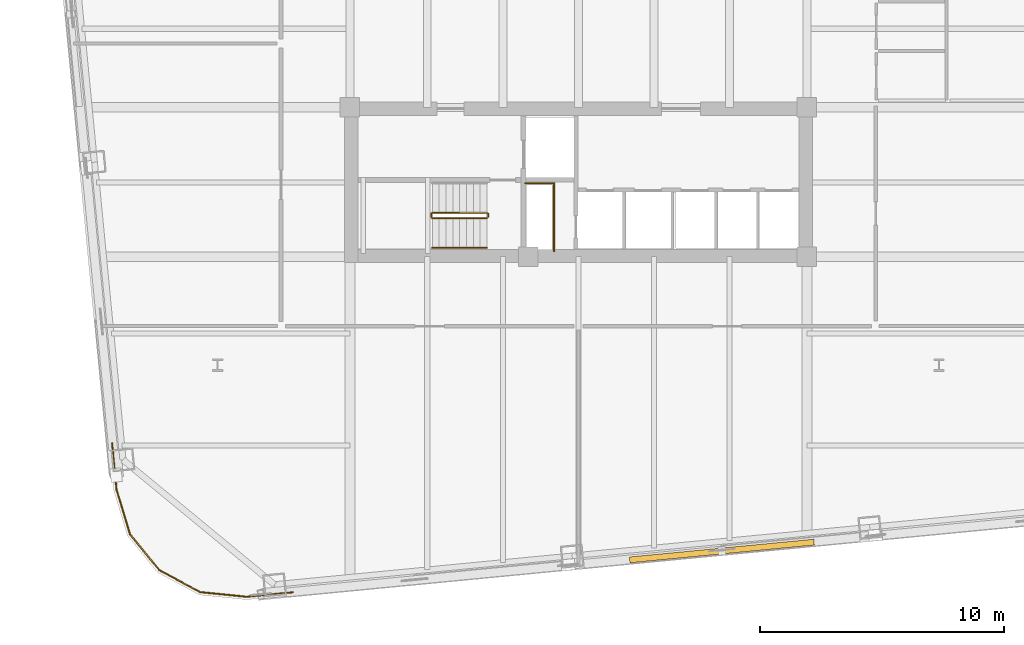
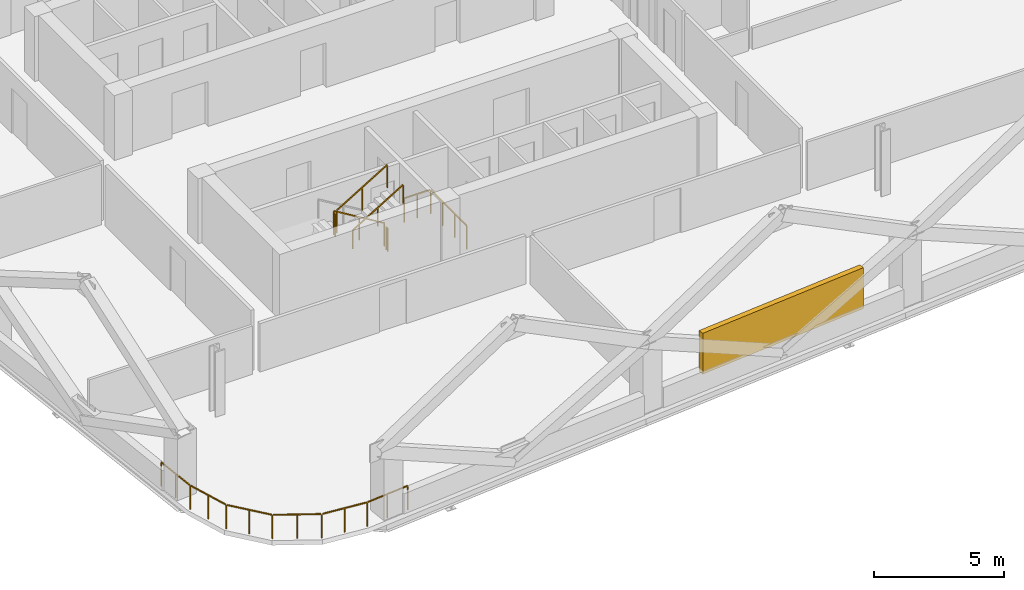
# One storey, part 6 of 8: 7 railings, 1 shading device.
"""IFC4 building model written with IfcOpenShell, lengths in metres."""

from ifc_helpers import new_model, si_unit, direction, frame, origin, origin_2d, place, context, subcontext, project, spatial, rectangle, extrude, material, type_object, element, save


model = new_model("IFC4")

# Units and contexts
model_context = context("Model", 3, precision=1e-05, world=origin(), true_north=direction((0.0, 1.0)))
body_context = subcontext(model_context, "Body", "Model", "MODEL_VIEW")
ifc_project = project(units=[si_unit("LENGTHUNIT", "METRE"), si_unit("AREAUNIT", "SQUARE_METRE"), si_unit("VOLUMEUNIT", "CUBIC_METRE"), si_unit("PLANEANGLEUNIT", "RADIAN"), si_unit("MASSUNIT", "GRAM", prefix="KILO")], contexts=[model_context])

# Site, building, storey
site_placement = place(None, origin())
site = spatial("IfcSite", under=ifc_project, at=site_placement, CompositionType="ELEMENT")
building_placement = place(site_placement, origin())
building = spatial("IfcBuilding", under=site, at=building_placement, Name="Qhalaya Broadcast Tower", CompositionType="ELEMENT")
storey_placement = place(building_placement, frame((0.0, 0.0, 93.85009765625)))
storey = spatial("IfcBuildingStorey", under=building, at=storey_placement, Name="L27", CompositionType="ELEMENT", Elevation=93.85009765625)

# Railings
ifc_material_1 = material(Name="Powder-Coated Galvanised Steel", Category="steel")
railing_type_1 = type_object("IfcRailingType", Name="Stair Wall Handrail 900", PredefinedType="HANDRAIL", material=ifc_material_1)
railing_1_placement = place(storey_placement, frame((-5.989990234375, -8.389892578125, 1.6943359375)))
element("IfcRailing", 1, at=railing_1_placement, inside=storey, type_object=railing_type_1, Name="L27 ST-2 Stair Handrail 2", PredefinedType="HANDRAIL", context=body_context, shape_type="SweptSolid", body=[
    extrude(rectangle(XDim=0.048095703125, YDim=0.048095703125, at=origin_2d()), frame((0.0, 0.0, 0.8759765625), z_axis=(0.855553338991, 0.0, 0.51771467445), x_axis=(0.0, 1.0, 0.0)), (0.0, 0.0, 1.0), 2.6181640625),
    extrude(rectangle(XDim=0.0419921875, YDim=0.0419921875, at=origin_2d()), origin(), (0.0, 0.0, 1.0), 0.849853515625),
    extrude(rectangle(XDim=0.0419921875, YDim=0.0419921875, at=origin_2d()), frame((1.1201171875, 0.0, 0.677734375)), (0.0, 0.0, 1.0), 0.849853515625),
    extrude(rectangle(XDim=0.0419921875, YDim=0.0419921875, at=origin_2d()), frame((2.239990234375, 0.0, 1.35546875)), (0.0, 0.0, 1.0), 0.849853515625),
])
railing_type_2 = type_object("IfcRailingType", Name="Stair Well & Landing Guardrail 1100", PredefinedType="GUARDRAIL", material=ifc_material_1)
railing_2_placement = place(storey_placement, frame((-1.0, -8.52001953125, 0.0)))
element("IfcRailing", 2, at=railing_2_placement, inside=storey, type_object=railing_type_2, Name="L27 Service Riser Opening Safety Guard SRSR", PredefinedType="GUARDRAIL", context=body_context, shape_type="SweptSolid", body=[
    extrude(rectangle(XDim=0.048095703125, YDim=0.048095703125, at=origin_2d()), frame((0.0, 0.0, 1.1259765625), z_axis=(0.0, 1.0, 0.0), x_axis=(-1.0, 0.0, 0.0)), (0.0, 0.0, 1.0), 2.751220703125),
    extrude(rectangle(XDim=0.048095703125, YDim=0.048095703125, at=origin_2d()), frame((-0.02880859375, 2.780029296875, 1.1259765625), z_axis=(-1.0, 0.0, 0.0), x_axis=(0.0, -1.0, 0.0)), (0.0, 0.0, 1.0), 1.151123046875),
    extrude(rectangle(XDim=0.0419921875, YDim=0.0419921875, at=origin_2d()), origin(), (0.0, 0.0, 1.0), 1.099853515625),
    extrude(rectangle(XDim=0.0419921875, YDim=0.0419921875, at=origin_2d()), frame((0.0, 0.9267578125, 0.0)), (0.0, 0.0, 1.0), 1.099853515625),
    extrude(rectangle(XDim=0.0419921875, YDim=0.0419921875, at=origin_2d()), frame((0.0, 1.853271484375, 0.0)), (0.0, 0.0, 1.0), 1.099853515625),
    extrude(rectangle(XDim=0.0419921875, YDim=0.0419921875, at=origin_2d()), frame((0.0, 2.780029296875, 0.0)), (0.0, 0.0, 1.0), 1.099853515625),
    extrude(rectangle(XDim=0.0419921875, YDim=0.0419921875, at=origin_2d()), frame((-0.58984375, 2.780029296875, 0.0)), (0.0, 0.0, 1.0), 1.099853515625),
    extrude(rectangle(XDim=0.0419921875, YDim=0.0419921875, at=origin_2d()), frame((-1.179931640625, 2.780029296875, 0.0)), (0.0, 0.0, 1.0), 1.099853515625),
])
railing_3_placement = place(storey_placement, frame((-3.75, -6.949951171875, 0.16943359375)))
element("IfcRailing", 3, at=railing_3_placement, inside=storey, type_object=railing_type_2, Name="L27 ST-2 Stair Guard 1", PredefinedType="GUARDRAIL", context=body_context, shape_type="SweptSolid", body=[
    extrude(rectangle(XDim=0.048095703125, YDim=0.048095703125, at=origin_2d()), frame((0.0, 0.0, 1.076171875), z_axis=(-0.855553338991, 0.0, 0.51771467445), x_axis=(0.0, -1.0, 0.0)), (0.0, 0.0, 1.0), 2.6181640625),
    extrude(rectangle(XDim=0.0419921875, YDim=0.0419921875, at=origin_2d()), origin(), (0.0, 0.0, 1.0), 1.050048828125),
    extrude(rectangle(XDim=0.0419921875, YDim=0.0419921875, at=origin_2d()), frame((-1.1201171875, 0.0, 0.677734375)), (0.0, 0.0, 1.0), 1.050048828125),
    extrude(rectangle(XDim=0.0419921875, YDim=0.0419921875, at=origin_2d()), frame((-2.239990234375, 0.0, 1.35546875)), (0.0, 0.0, 1.0), 1.050048828125),
])
railing_4_placement = place(storey_placement, frame((-6.0400390625, -7.0, 1.52490234375)))
element("IfcRailing", 4, at=railing_4_placement, inside=storey, type_object=railing_type_2, Name="L27 ST-2 Stair Guard 2", PredefinedType="GUARDRAIL", context=body_context, shape_type="SweptSolid", body=[
    extrude(rectangle(XDim=0.048095703125, YDim=0.048095703125, at=origin_2d()), frame((0.0, 0.0, 1.076171875), z_axis=(0.0, -1.0, 0.0), x_axis=(1.0, 0.0, 0.0)), (0.0, 0.0, 1.0), 0.1201171875),
    extrude(rectangle(XDim=0.0419921875, YDim=0.0419921875, at=origin_2d()), origin(), (0.0, 0.0, 1.0), 1.050048828125),
    extrude(rectangle(XDim=0.0419921875, YDim=0.0419921875, at=origin_2d()), frame((0.0, -0.1201171875, 0.0)), (0.0, 0.0, 1.0), 1.050048828125),
])
railing_5_placement = place(storey_placement, frame((-5.989990234375, -7.169921875, 1.6943359375)))
element("IfcRailing", 5, at=railing_5_placement, inside=storey, type_object=railing_type_2, Name="L27 ST-2 Stair Guard 3", PredefinedType="GUARDRAIL", context=body_context, shape_type="SweptSolid", body=[
    extrude(rectangle(XDim=0.048095703125, YDim=0.048095703125, at=origin_2d()), frame((0.0, 0.0, 1.076171875), z_axis=(0.855553338991, 0.0, 0.51771467445), x_axis=(0.0, 1.0, 0.0)), (0.0, 0.0, 1.0), 2.6181640625),
    extrude(rectangle(XDim=0.0419921875, YDim=0.0419921875, at=origin_2d()), origin(), (0.0, 0.0, 1.0), 1.050048828125),
    extrude(rectangle(XDim=0.0419921875, YDim=0.0419921875, at=origin_2d()), frame((1.1201171875, 0.0, 0.677734375)), (0.0, 0.0, 1.0), 1.050048828125),
    extrude(rectangle(XDim=0.0419921875, YDim=0.0419921875, at=origin_2d()), frame((2.239990234375, 0.0, 1.35546875)), (0.0, 0.0, 1.0), 1.050048828125),
])
railing_6_placement = place(storey_placement, frame((-3.699951171875, -7.0, 0.0)))
element("IfcRailing", 6, at=railing_6_placement, inside=storey, type_object=railing_type_2, Name="L27 ST-2 Stair Guard 4", PredefinedType="GUARDRAIL", context=body_context, shape_type="SweptSolid", body=[
    extrude(rectangle(XDim=0.048095703125, YDim=0.048095703125, at=origin_2d()), frame((0.0, 0.0, 1.076171875), z_axis=(0.0, -1.0, 0.0), x_axis=(1.0, 0.0, 0.0)), (0.0, 0.0, 1.0), 0.1201171875),
    extrude(rectangle(XDim=0.0419921875, YDim=0.0419921875, at=origin_2d()), origin(), (0.0, 0.0, 1.0), 1.050048828125),
    extrude(rectangle(XDim=0.0419921875, YDim=0.0419921875, at=origin_2d()), frame((0.0, -0.1201171875, 0.0)), (0.0, 0.0, 1.0), 1.050048828125),
])
railing_type_3 = type_object("IfcRailingType", Name="Terrace, Sky-Pool & Lookout Glass Balustrade 1150", PredefinedType="BALUSTRADE", material=ifc_material_1)
railing_7_placement = place(storey_placement, frame((-11.71435546875, -22.52197265625, 0.0)))
element("IfcRailing", 7, at=railing_7_placement, inside=storey, type_object=railing_type_3, Name="L27 Rounded Corner Perimeter Guard 02", PredefinedType="BALUSTRADE", context=body_context, shape_type="SweptSolid", body=[
    extrude(rectangle(XDim=0.048095703125, YDim=0.048095703125, at=origin_2d()), frame((0.0, 0.0, 1.1259765625), z_axis=(-0.995400577609, -0.095800261458, 0.0), x_axis=(0.095800261458, -0.995400577609, 0.0)), (0.0, 0.0, 1.0), 1.87744140625),
    extrude(rectangle(XDim=0.048095703125, YDim=0.048095703125, at=origin_2d()), frame((-1.92626953125, -0.1796875, 1.1259765625), z_axis=(-0.994978953282, 0.100084377028, 0.0), x_axis=(-0.100084377028, -0.994978953282, 0.0)), (0.0, 0.0, 1.0), 1.857177734375),
    extrude(rectangle(XDim=0.048095703125, YDim=0.048095703125, at=origin_2d()), frame((-3.828125, 0.022705078125, 1.1259765625), z_axis=(-0.880907290044, 0.473288861424, 0.0), x_axis=(-0.473288861424, -0.880907290044, 0.0)), (0.0, 0.0, 1.0), 1.845703125),
    extrude(rectangle(XDim=0.048095703125, YDim=0.048095703125, at=origin_2d()), frame((-5.497802734375, 0.932373046875, 1.1259765625), z_axis=(-0.632671796541, 0.774420039683, 0.0), x_axis=(-0.774420039683, -0.632671796541, 0.0)), (0.0, 0.0, 1.0), 1.845458984375),
    extrude(rectangle(XDim=0.048095703125, YDim=0.048095703125, at=origin_2d()), frame((-6.69189453125, 2.411376953125, 1.1259765625), z_axis=(-0.288213171456, 0.95756627332, 0.0), x_axis=(-0.95756627332, -0.288213171456, 0.0)), (0.0, 0.0, 1.0), 1.857421875),
    extrude(rectangle(XDim=0.048095703125, YDim=0.048095703125, at=origin_2d()), frame((-7.23828125, 4.24658203125, 1.1259765625), z_axis=(-0.095812476214, 0.99539940195, 0.0), x_axis=(-0.99539940195, -0.095812476214, 0.0)), (0.0, 0.0, 1.0), 1.877197265625),
    extrude(rectangle(XDim=0.0419921875, YDim=0.0419921875, at=origin_2d()), origin(), (0.0, 0.0, 1.0), 1.099853515625),
    extrude(rectangle(XDim=0.0419921875, YDim=0.0419921875, at=origin_2d()), frame((-0.94873046875, -0.09130859375, 0.0)), (0.0, 0.0, 1.0), 1.099853515625),
    extrude(rectangle(XDim=0.0419921875, YDim=0.0419921875, at=origin_2d()), frame((-1.8974609375, -0.1826171875, 0.0)), (0.0, 0.0, 1.0), 1.099853515625),
    extrude(rectangle(XDim=0.0419921875, YDim=0.0419921875, at=origin_2d()), frame((-2.85009765625, -0.0869140625, 0.0)), (0.0, 0.0, 1.0), 1.099853515625),
    extrude(rectangle(XDim=0.0419921875, YDim=0.0419921875, at=origin_2d()), frame((-3.802734375, 0.009033203125, 0.0)), (0.0, 0.0, 1.0), 1.099853515625),
    extrude(rectangle(XDim=0.0419921875, YDim=0.0419921875, at=origin_2d()), frame((-4.64111328125, 0.45947265625, 0.0)), (0.0, 0.0, 1.0), 1.099853515625),
    extrude(rectangle(XDim=0.0419921875, YDim=0.0419921875, at=origin_2d()), frame((-5.4794921875, 0.909912109375, 0.0)), (0.0, 0.0, 1.0), 1.099853515625),
    extrude(rectangle(XDim=0.0419921875, YDim=0.0419921875, at=origin_2d()), frame((-6.08154296875, 1.64697265625, 0.0)), (0.0, 0.0, 1.0), 1.099853515625),
    extrude(rectangle(XDim=0.0419921875, YDim=0.0419921875, at=origin_2d()), frame((-6.68359375, 2.3837890625, 0.0)), (0.0, 0.0, 1.0), 1.099853515625),
    extrude(rectangle(XDim=0.0419921875, YDim=0.0419921875, at=origin_2d()), frame((-6.95947265625, 3.30078125, 0.0)), (0.0, 0.0, 1.0), 1.099853515625),
    extrude(rectangle(XDim=0.0419921875, YDim=0.0419921875, at=origin_2d()), frame((-7.235595703125, 4.2177734375, 0.0)), (0.0, 0.0, 1.0), 1.099853515625),
    extrude(rectangle(XDim=0.0419921875, YDim=0.0419921875, at=origin_2d()), frame((-7.326904296875, 5.16650390625, 0.0)), (0.0, 0.0, 1.0), 1.099853515625),
    extrude(rectangle(XDim=0.0419921875, YDim=0.0419921875, at=origin_2d()), frame((-7.418212890625, 6.114990234375, 0.0)), (0.0, 0.0, 1.0), 1.099853515625),
])

# Shading device
ifc_material_2 = material(Name="Fired Architectural Terracotta", Category="masonry")
shading_device_type = type_object("IfcShadingDeviceType", Name="Terracotta Baguette Solar Screen Assembly TBS-01", PredefinedType="USERDEFINED", material=ifc_material_2)
shading_device_placement = place(storey_placement, frame((5.88623046875, -20.827392578125, 0.79248046875), z_axis=(0.0, 0.0, 1.0), x_axis=(0.995396198367, 0.09584575252, 0.0)))
element("IfcShadingDevice", 8, at=shading_device_placement, inside=storey, type_object=shading_device_type, Name="L27 Fired Terracotta Baguette Screen S", ObjectType="BAGUETTE", PredefinedType="USERDEFINED", context=body_context, shape_type="SweptSolid", body=[
    extrude(rectangle(XDim=7.60009765625, YDim=0.239990234375, at=origin_2d()), origin(), (0.0, 0.0, 1.0), 1.924072265625),
])

save(model, "model.ifc")
